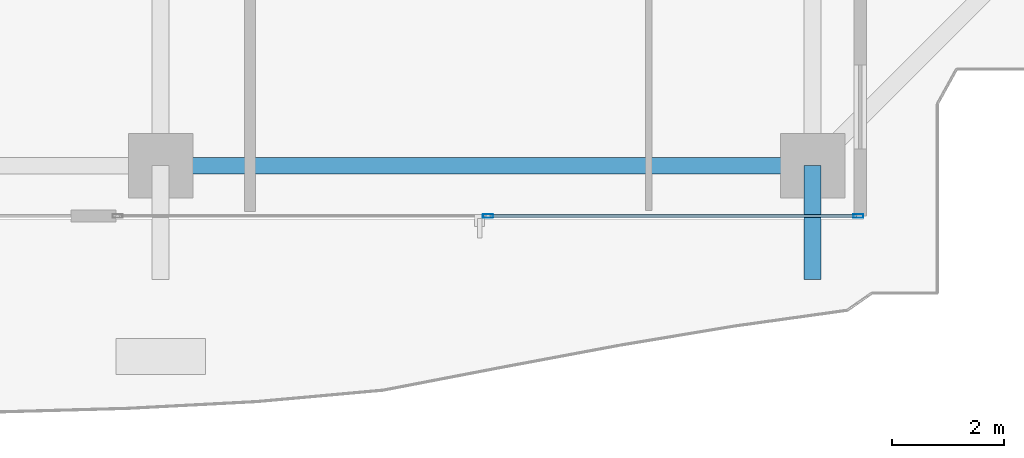
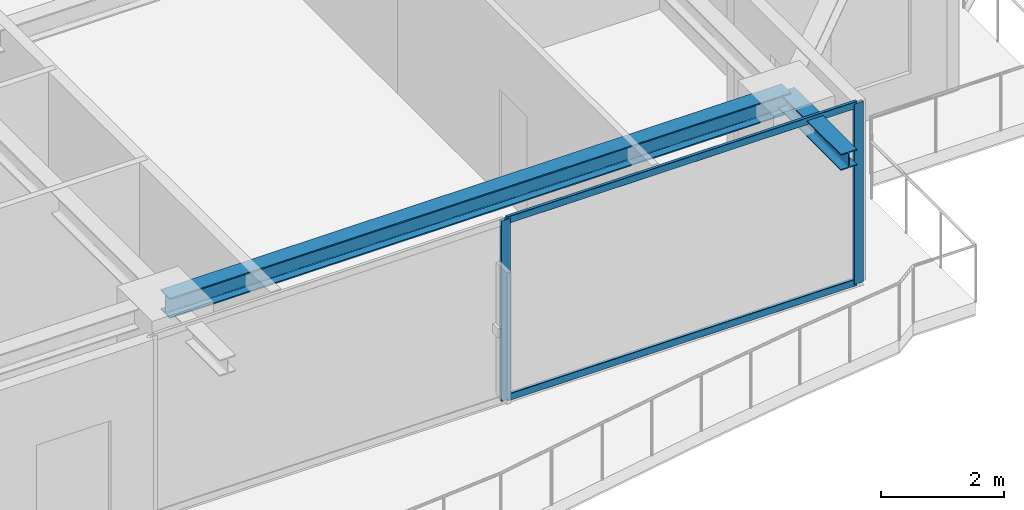
# One storey, part 11 of 38: 4 members, 2 beams, 1 element without a shape of its own.
"""IFC4 building model written with IfcOpenShell, lengths in metres."""

from ifc_helpers import new_model, si_unit, direction, frame, origin, origin_2d, place, context, subcontext, project, spatial, hollow_rectangle, i_section, extrude, source, transform, mapped, material, layer, layer_set, material_profile, profile_set, type_object, element, aggregate, save


model = new_model("IFC4")

# Units and contexts
model_context = context("Model", 3, precision=1e-05, world=origin(), true_north=direction((0.0, 1.0)))
body_context = subcontext(model_context, "Body", "Model", "MODEL_VIEW")
ifc_project = project(units=[si_unit("LENGTHUNIT", "METRE"), si_unit("AREAUNIT", "SQUARE_METRE"), si_unit("VOLUMEUNIT", "CUBIC_METRE"), si_unit("PLANEANGLEUNIT", "RADIAN"), si_unit("MASSUNIT", "GRAM", prefix="KILO")], contexts=[model_context])

# Site, building, storey
site_placement = place(None, origin())
site = spatial("IfcSite", under=ifc_project, at=site_placement, CompositionType="ELEMENT")
building_placement = place(site_placement, origin())
building = spatial("IfcBuilding", under=site, at=building_placement, Name="Serunith Strait Residences", CompositionType="ELEMENT")
storey_placement = place(building_placement, frame((0.0, 0.0, 229.699951171875)))
storey = spatial("IfcBuildingStorey", under=building, at=storey_placement, Name="L57", CompositionType="ELEMENT", Elevation=229.699951171875)

# Beams
ifc_material_1 = material(Name="Steel S355J2", Category="steel")
ifc_material_profile_1 = material_profile(ifc_material_1, i_section(OverallWidth=0.300048828125, OverallDepth=0.39990234375, WebThickness=0.013427734375, FlangeThickness=0.02392578125, FilletRadius=0.027099609375, at=origin_2d()), Name="HEB 400")
ifc_profile_set_1 = profile_set([ifc_material_profile_1], Name="Steel S355J2")
beam_type_1 = type_object("IfcBeamType", Name="BM-HEB400", PredefinedType="BEAM", material=ifc_profile_set_1)
shared_shape_1 = source(origin(), body_context, "Body", "SweptSolid", [
    extrude(i_section(OverallWidth=0.300048828125, OverallDepth=0.39990234375, WebThickness=0.013427734375, FlangeThickness=0.02392578125, FilletRadius=0.027099609375, at=origin_2d()), origin(), (0.0, 0.0, 1.0), 11.650146484375),
])
beam_1_placement = place(storey_placement, frame((36.89990234375, 2.10009765625, 3.386962890625), z_axis=(1.0, 0.0, 0.0), x_axis=(0.0, 1.0, 0.0)))
element("IfcBeam", 1, at=beam_1_placement, inside=storey, type_object=beam_type_1, Name="L57 Perimeter Ring Beam 03", PredefinedType="BEAM", context=body_context, shape_type="MappedRepresentation", body=[
    mapped(shared_shape_1, transform((0.0, 0.0, 0.0), scale=1.0)),
])
ifc_material_profile_2 = material_profile(ifc_material_1, i_section(OverallWidth=0.300048828125, OverallDepth=0.320068359375, WebThickness=0.011474609375, FlangeThickness=0.0205078125, FilletRadius=0.027099609375, at=origin_2d()), Name="HEB 320")
ifc_profile_set_2 = profile_set([ifc_material_profile_2], Name="Steel S355J2")
beam_type_2 = type_object("IfcBeamType", Name="BM-HEB320", PredefinedType="BEAM", material=ifc_profile_set_2)
shared_shape_2 = source(origin(), body_context, "Body", "SweptSolid", [
    extrude(i_section(OverallWidth=0.300048828125, OverallDepth=0.320068359375, WebThickness=0.011474609375, FlangeThickness=0.0205078125, FilletRadius=0.027099609375, at=origin_2d()), origin(), (0.0, 0.0, 1.0), 2.030029296875),
])
beam_2_placement = place(storey_placement, frame((48.550048828125, 2.10009765625, 3.39697265625), z_axis=(0.0, -1.0, 0.0), x_axis=(1.0, 0.0, 0.0)))
element("IfcBeam", 2, at=beam_2_placement, inside=storey, type_object=beam_type_2, Name="L58 Cantilevered Balcony Rib TC-S4", PredefinedType="BEAM", context=body_context, shape_type="MappedRepresentation", body=[
    mapped(shared_shape_2, transform((0.0, 0.0, 0.0), scale=1.0)),
])

# Curtain wall, members
ifc_material_2 = material(Name="Pale-Champagne Anodised Aluminium", Category="aluminium")
ifc_layer = layer(ifc_material_2, 0.199951171875, Name="Pale-Champagne Anodised Aluminium")
ifc_layer_set = layer_set([ifc_layer], Name="Pale-Champagne Anodised Aluminium")
curtain_wall_type = type_object("IfcCurtainWallType", Name="CW-SYS4", PredefinedType="NOTDEFINED", material=ifc_layer_set)
curtain_wall_placement = place(storey_placement, origin())
curtain_wall = element("IfcCurtainWall", 3, at=curtain_wall_placement, inside=storey, type_object=curtain_wall_type, Name="L57 S Unitised Fritted Curtain Wall", PredefinedType="NOTDEFINED")
ifc_material_profile_3 = material_profile(ifc_material_2, hollow_rectangle(XDim=0.06494140625, YDim=0.179931640625, WallThickness=0.00341796875, InnerFilletRadius=0.00537109375, OuterFilletRadius=0.0087890625, at=origin_2d()), Name="ALU 180x65x3.5")
ifc_profile_set_3 = profile_set([ifc_material_profile_3], Name="Pale-Champagne Anodised Aluminium")
member_type_1 = type_object("IfcMemberType", Name="CW-SYS4-MULL", PredefinedType="MULLION", material=ifc_profile_set_3)
shared_shape_3 = source(origin(), body_context, "Body", "SweptSolid", [
    extrude(hollow_rectangle(XDim=0.06494140625, YDim=0.179931640625, WallThickness=0.00341796875, InnerFilletRadius=0.00537109375, OuterFilletRadius=0.0087890625, at=origin_2d()), origin(), (0.0, 0.0, 1.0), 3.574951171875),
])
member_1_placement = place(storey_placement, frame((42.75, 1.199951171875, 0.0), z_axis=(0.0, 0.0, 1.0), x_axis=(0.0, 1.0, 0.0)))
member_1 = element("IfcMember", 4, at=member_1_placement, type_object=member_type_1, Name="CW-4 mullion 2", PredefinedType="MULLION", context=body_context, shape_type="MappedRepresentation", body=[
    mapped(shared_shape_3, transform((0.0, 0.0, 0.0), scale=1.0)),
])
member_2_placement = place(storey_placement, frame((49.367431640625, 1.199951171875, 0.0), z_axis=(0.0, 0.0, 1.0), x_axis=(0.0, 1.0, 0.0)))
member_2 = element("IfcMember", 5, at=member_2_placement, type_object=member_type_1, Name="CW-4 mullion 3", PredefinedType="MULLION", context=body_context, shape_type="MappedRepresentation", body=[
    mapped(shared_shape_3, transform((0.0, 0.0, 0.0), scale=1.0)),
])
ifc_material_profile_4 = material_profile(ifc_material_2, hollow_rectangle(XDim=0.06005859375, YDim=0.139892578125, WallThickness=0.00341796875, InnerFilletRadius=0.00537109375, OuterFilletRadius=0.0087890625, at=origin_2d()), Name="ALU 140x60x3.5")
ifc_profile_set_4 = profile_set([ifc_material_profile_4], Name="Pale-Champagne Anodised Aluminium")
member_type_2 = type_object("IfcMemberType", Name="CW-SYS4-TRAN", PredefinedType="USERDEFINED", material=ifc_profile_set_4)
shared_shape_4 = source(origin(), body_context, "Body", "SweptSolid", [
    extrude(hollow_rectangle(XDim=0.06005859375, YDim=0.139892578125, WallThickness=0.00341796875, InnerFilletRadius=0.00537109375, OuterFilletRadius=0.0087890625, at=origin_2d()), origin(), (0.0, 0.0, 1.0), 6.552490234375),
])
member_3_placement = place(storey_placement, frame((42.782470703125, 1.199951171875, 0.030029296875), z_axis=(1.0, 0.0, 0.0), x_axis=(0.0, 1.0, 0.0)))
member_3 = element("IfcMember", 6, at=member_3_placement, type_object=member_type_2, Name="CW-4 transom 2.1", ObjectType="TRANSOM", PredefinedType="USERDEFINED", context=body_context, shape_type="MappedRepresentation", body=[
    mapped(shared_shape_4, transform((0.0, 0.0, 0.0), scale=1.0)),
])
member_4_placement = place(storey_placement, frame((42.782470703125, 1.199951171875, 3.545166015625), z_axis=(1.0, 0.0, 0.0), x_axis=(0.0, 1.0, 0.0)))
member_4 = element("IfcMember", 7, at=member_4_placement, type_object=member_type_2, Name="CW-4 transom 2.2", ObjectType="TRANSOM", PredefinedType="USERDEFINED", context=body_context, shape_type="MappedRepresentation", body=[
    mapped(shared_shape_4, transform((0.0, 0.0, 0.0), scale=1.0)),
])
aggregate(curtain_wall, [member_1, member_2, member_3, member_4])

save(model, "model.ifc")
